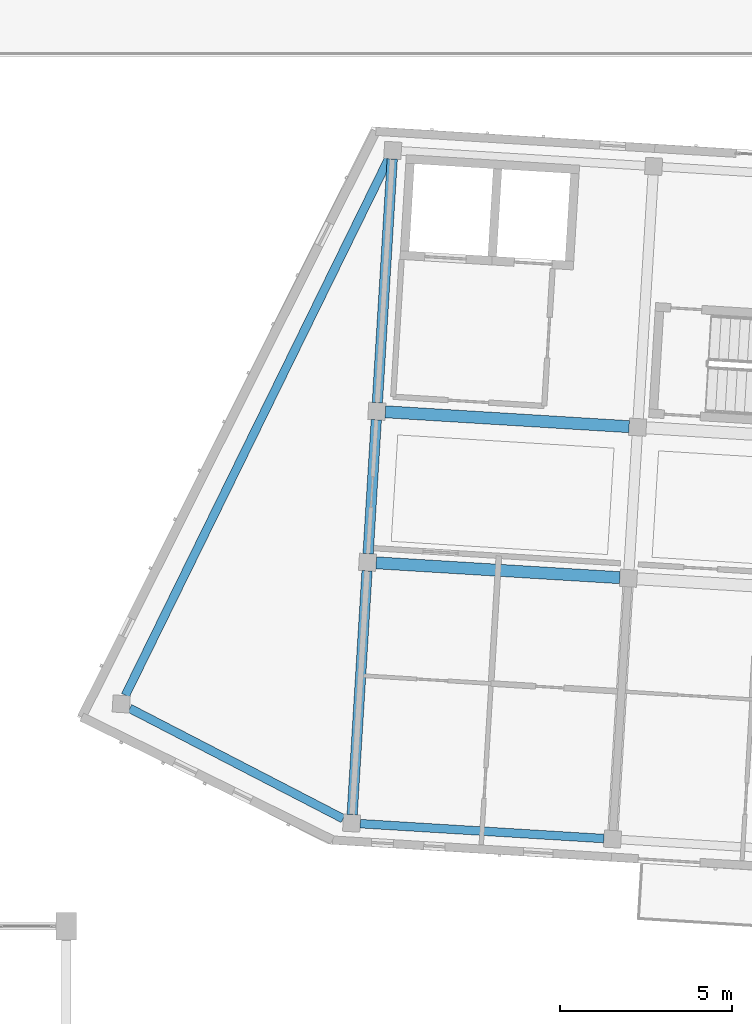
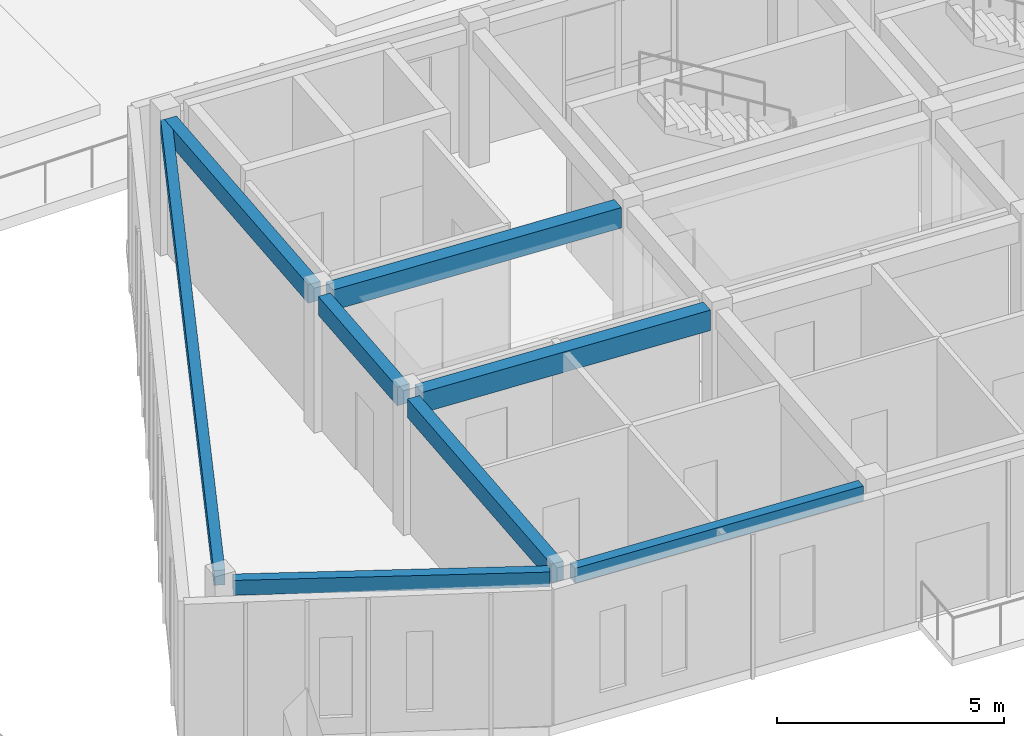
# One storey, part 18 of 150: 8 beams.
"""IFC4 building model written with IfcOpenShell, lengths in metres."""

from ifc_helpers import new_model, si_unit, direction, frame, origin, origin_2d, place, context, subcontext, project, spatial, rectangle, extrude, material, material_profile, profile_set, type_object, element, save


model = new_model("IFC4")

# Units and contexts
model_context = context("Model", 3, precision=1e-05, world=origin(), true_north=direction((0.0, 1.0)))
body_context = subcontext(model_context, "Body", "Model", "MODEL_VIEW")
ifc_project = project(units=[si_unit("LENGTHUNIT", "METRE"), si_unit("AREAUNIT", "SQUARE_METRE"), si_unit("VOLUMEUNIT", "CUBIC_METRE"), si_unit("PLANEANGLEUNIT", "RADIAN"), si_unit("MASSUNIT", "GRAM", prefix="KILO")], contexts=[model_context])

# Site, building, storey
site_placement = place(None, origin())
site = spatial("IfcSite", under=ifc_project, at=site_placement, CompositionType="ELEMENT")
building_placement = place(site_placement, origin())
building = spatial("IfcBuilding", under=site, at=building_placement, Name="Kestramere Prow Commons", CompositionType="ELEMENT")
storey_placement = place(building_placement, frame((0.0, 0.0, 4.5)))
storey = spatial("IfcBuildingStorey", under=building, at=storey_placement, Name="L01", CompositionType="ELEMENT", Elevation=4.5)

# Beams
ifc_material = material(Name="Precast concrete C40/50", Category="concrete")
ifc_material_profile_1 = material_profile(ifc_material, rectangle(XDim=0.35009765625, YDim=0.550048828125, at=origin_2d()), Name="PC-BM 350x550")
ifc_profile_set_1 = profile_set([ifc_material_profile_1], Name="Precast concrete C40/50")
beam_type_1 = type_object("IfcBeamType", Name="BM-C1 PC-BM 350x550", PredefinedType="BEAM", material=ifc_profile_set_1)
for number, where, z_axis, x_axis, name in (
    (1, (60.213623046875, 54.070556640625, 3.375), (0.998135568114, -0.061035953884, 0.0), (0.061035953884, 0.998135568114, 0.0), "Block C L01 Longitudinal Beam 2-1"),
    (2, (60.482177734375, 58.46240234375, 3.375), (0.998133472633, -0.061070212127, 0.0), (0.061070212127, 0.998133472633, 0.0), "Block C L01 Longitudinal Beam 3-1"),
):
    element("IfcBeam", number, at=place(storey_placement, frame(where, z_axis=z_axis, x_axis=x_axis)), inside=storey, type_object=beam_type_1, Name=name, PredefinedType="BEAM", context=body_context, shape_type="SweptSolid", body=[
        extrude(rectangle(XDim=0.35009765625, YDim=0.550048828125, at=origin_2d()), origin(), (0.0, 0.0, 1.0), 7.099853515625),
    ])
ifc_material_profile_2 = material_profile(ifc_material, rectangle(XDim=0.300048828125, YDim=0.5, at=origin_2d()), Name="PC-BM 300x500")
ifc_profile_set_2 = profile_set([ifc_material_profile_2], Name="Precast concrete C40/50")
beam_type_2 = type_object("IfcBeamType", Name="BM-TIE-01 PC-BM 300x500", PredefinedType="BEAM", material=ifc_profile_set_2)
beam_1_placement = place(storey_placement, frame((59.515380859375, 46.74951171875, 3.39990234375), z_axis=(0.061035953884, 0.998135568114, 0.0), x_axis=(-0.998135568114, 0.061035953884, 0.0)))
element("IfcBeam", 3, at=beam_1_placement, inside=storey, type_object=beam_type_2, Name="Block C L01 Transverse Beam 1-1", PredefinedType="BEAM", context=body_context, shape_type="SweptSolid", body=[
    extrude(rectangle(XDim=0.300048828125, YDim=0.5, at=origin_2d()), origin(), (0.0, 0.0, 1.0), 7.099853515625),
])
beam_2_placement = place(storey_placement, frame((59.979248046875, 54.33544921875, 3.39990234375), z_axis=(0.061037511668, 0.998135472854, 0.0), x_axis=(-0.998135472854, 0.061037511668, 0.0)))
element("IfcBeam", 4, at=beam_2_placement, inside=storey, type_object=beam_type_2, Name="Block C L01 Transverse Beam 1-2", PredefinedType="BEAM", context=body_context, shape_type="SweptSolid", body=[
    extrude(rectangle(XDim=0.300048828125, YDim=0.5, at=origin_2d()), origin(), (0.0, 0.0, 1.0), 3.89990234375),
])
beam_3_placement = place(storey_placement, frame((60.247802734375, 58.72705078125, 3.39990234375), z_axis=(0.061068116134, 0.998133600873, 0.0), x_axis=(-0.998133600873, 0.061068116134, 0.0)))
element("IfcBeam", 5, at=beam_3_placement, inside=storey, type_object=beam_type_2, Name="Block C L01 Transverse Beam 1-3", PredefinedType="BEAM", context=body_context, shape_type="SweptSolid", body=[
    extrude(rectangle(XDim=0.300048828125, YDim=0.5, at=origin_2d()), origin(), (0.0, 0.0, 1.0), 7.10009765625),
])
ifc_material_profile_3 = material_profile(ifc_material, rectangle(XDim=0.25, YDim=0.39990234375, at=origin_2d()), Name="PC-SP 250x400")
ifc_profile_set_3 = profile_set([ifc_material_profile_3], Name="Precast concrete C40/50")
beam_type_3 = type_object("IfcBeamType", Name="SP-EXT-01 PC-SP 250x400", PredefinedType="SPANDREL", material=ifc_profile_set_3)
beam_4_placement = place(storey_placement, frame((59.251220703125, 46.628662109375, 3.449951171875), z_axis=(-0.888240269485, 0.459379171998, 0.0), x_axis=(-0.459379171998, -0.888240269485, 0.0)))
element("IfcBeam", 6, at=beam_4_placement, inside=storey, type_object=beam_type_3, Name="Block C L01 Prow Facet Beam S", PredefinedType="SPANDREL", context=body_context, shape_type="SweptSolid", body=[
    extrude(rectangle(XDim=0.25, YDim=0.39990234375, at=origin_2d()), origin(), (0.0, 0.0, 1.0), 6.98388671875),
])
beam_5_placement = place(storey_placement, frame((60.5732421875, 65.81201171875, 3.449951171875), z_axis=(-0.440448933016, -0.897777665909, 0.0), x_axis=(0.897777665909, -0.440448933016, 0.0)))
element("IfcBeam", 7, at=beam_5_placement, inside=storey, type_object=beam_type_3, Name="Block C L01 Prow Facet Beam N", PredefinedType="SPANDREL", context=body_context, shape_type="SweptSolid", body=[
    extrude(rectangle(XDim=0.25, YDim=0.39990234375, at=origin_2d()), origin(), (0.0, 0.0, 1.0), 17.37060546875),
])
beam_6_placement = place(storey_placement, frame((59.74951171875, 46.484619140625, 3.449951171875), z_axis=(0.998135568114, -0.061035953884, 0.0), x_axis=(0.061035953884, 0.998135568114, 0.0)))
element("IfcBeam", 8, at=beam_6_placement, inside=storey, type_object=beam_type_3, Name="Block C L01 Longitudinal Beam 1-1", PredefinedType="SPANDREL", context=body_context, shape_type="SweptSolid", body=[
    extrude(rectangle(XDim=0.25, YDim=0.39990234375, at=origin_2d()), origin(), (0.0, 0.0, 1.0), 7.099853515625),
])

save(model, "model.ifc")
